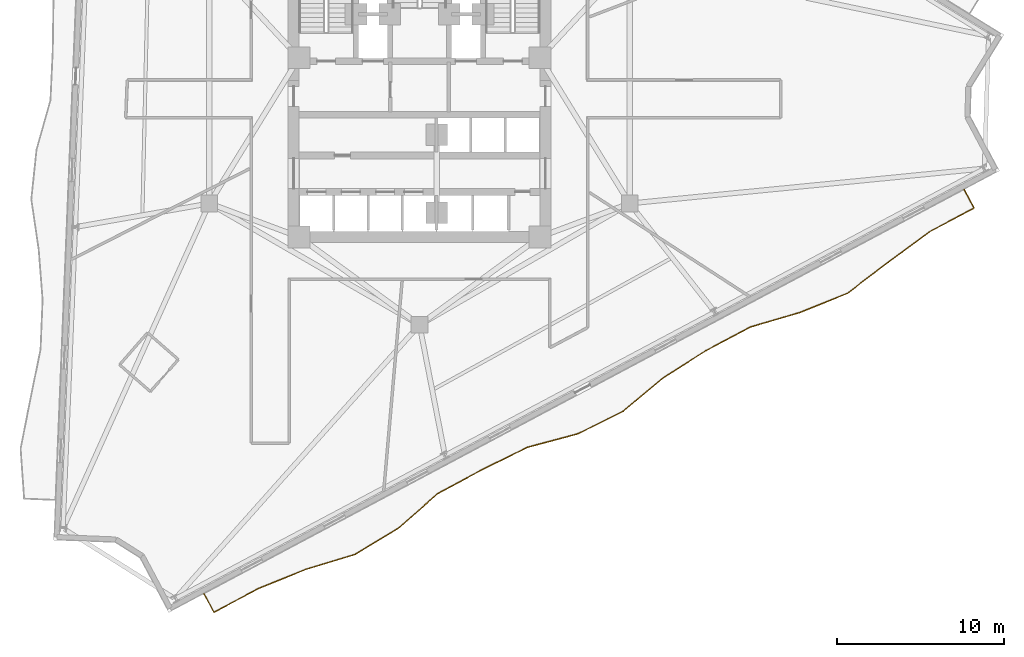
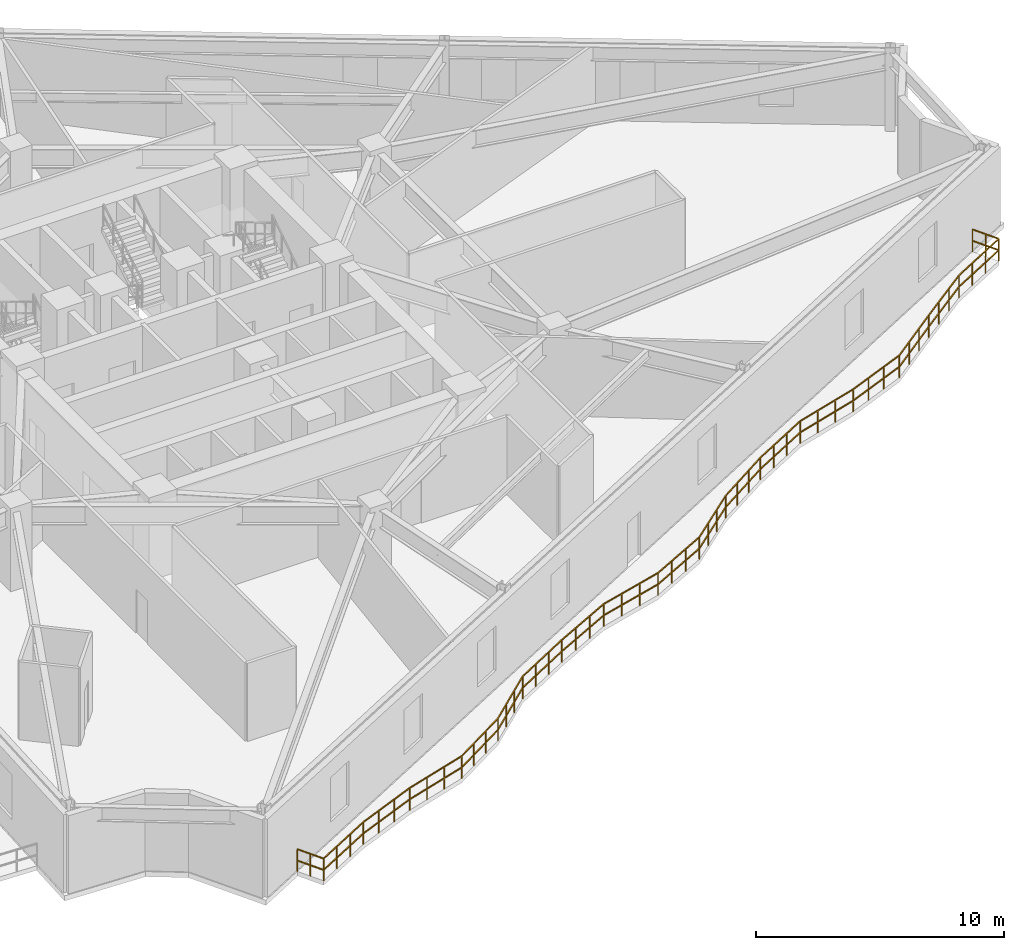
# One storey, part 9 of 12: 1 railing.
"""IFC4 building model written with IfcOpenShell, lengths in metres."""

import ifcopenshell
import ifcopenshell.guid

model = None  # the IFC model being written
_history = None  # IfcOwnerHistory: only IFC2X3 demands one
_inside = {}  # id of a spatial element -> (the spatial element, [elements in it])
_under = {}  # id of a project, library or spatial element -> (it, [spatial elements below it])
_declared = {}  # id of a project -> (the project, [libraries it declares])
_typed = {}  # id of a type object -> (the type object, [elements of that type])
_made_of = {}  # id of a material, layer set ... -> (it, [elements and type objects made of it])


def new_model(schema):
    """Start an empty IFC model of exactly this schema.

    Asked for "IFC4X3", IfcOpenShell would pick the latest addendum, in which some entities
    have other attributes; the version numbers below select the first issue.
    IFC2X3 requires an IfcOwnerHistory on every rooted entity: one is made here for all.
    """
    global model, _history
    if schema == "IFC4X3":
        model = ifcopenshell.file(schema_version=(4, 3, 0, 0))
    else:
        model = ifcopenshell.file(schema=schema)
    _inside.clear()
    _under.clear()
    _declared.clear()
    _typed.clear()
    _made_of.clear()
    _history = None
    if model.schema == "IFC2X3":
        org = make("IfcOrganization", Name="unknown")
        user = make(
            "IfcPersonAndOrganization",
            ThePerson=make("IfcPerson", FamilyName="unknown"),
            TheOrganization=org,
        )
        app = make(
            "IfcApplication",
            ApplicationDeveloper=org,
            Version="unknown",
            ApplicationFullName="unknown",
            ApplicationIdentifier="unknown",
        )
        _history = make(
            "IfcOwnerHistory",
            OwningUser=user,
            OwningApplication=app,
            ChangeAction="ADDED",
            CreationDate=0,
        )
    return model


def make(cls, **values):
    """One entity of the class cls with the attributes given. An attribute that is None is left unset."""
    return model.create_entity(
        cls, **{name: value for name, value in values.items() if value is not None}
    )


def rooted(cls, **values):
    """An entity with a GlobalId (a new one), such as an element, a storey or a relation."""
    return make(cls, GlobalId=ifcopenshell.guid.new(), OwnerHistory=_history, **values)


def si_unit(unit_type, name, prefix=None):
    """IfcSIUnit, for example si_unit("LENGTHUNIT", "METRE", prefix="MILLI")."""
    return make("IfcSIUnit", UnitType=unit_type, Prefix=prefix, Name=name)


def assignment(units):
    """IfcUnitAssignment: the units of a project."""
    return None if units is None else make("IfcUnitAssignment", Units=units)


def point(xyz):
    """IfcCartesianPoint."""
    return None if xyz is None else make("IfcCartesianPoint", Coordinates=xyz)


def direction(xyz):
    """IfcDirection."""
    return None if xyz is None else make("IfcDirection", DirectionRatios=xyz)


def frame(location, z_axis=None, x_axis=None):
    """IfcAxis2Placement3D, a coordinate frame: its origin and axes. An axis left out is left unset."""
    return make(
        "IfcAxis2Placement3D",
        Location=point(location),
        Axis=direction(z_axis),
        RefDirection=direction(x_axis),
    )


def frame_2d(location, x_axis=None):
    """IfcAxis2Placement2D, a coordinate frame in the plane: its origin and x axis."""
    return make(
        "IfcAxis2Placement2D", Location=point(location), RefDirection=direction(x_axis)
    )


def origin():
    """The frame at (0, 0, 0) with its axes left unset."""
    return frame((0.0, 0.0, 0.0))


def origin_2d():
    """The frame at (0, 0) in the plane with its x axis left unset."""
    return frame_2d((0.0, 0.0))


def place(relative_to, where):
    """IfcLocalPlacement: puts the frame where relative to a parent placement (None: the world)."""
    return make(
        "IfcLocalPlacement", PlacementRelTo=relative_to, RelativePlacement=where
    )


def context(
    kind, dimensions, precision=None, world=None, true_north=None, identifier=None
):
    """IfcGeometricRepresentationContext, for example the 3D "Model" context."""
    return make(
        "IfcGeometricRepresentationContext",
        ContextIdentifier=identifier,
        ContextType=kind,
        CoordinateSpaceDimension=dimensions,
        Precision=precision,
        WorldCoordinateSystem=world,
        TrueNorth=true_north,
    )


def subcontext(parent, identifier, kind, view, scale=None):
    """IfcGeometricRepresentationSubContext, for example "Body" below "Model"."""
    return make(
        "IfcGeometricRepresentationSubContext",
        ContextIdentifier=identifier,
        ContextType=kind,
        ParentContext=parent,
        TargetScale=scale,
        TargetView=view,
    )


def project(units=None, contexts=None):
    """IfcProject with its units and contexts."""
    return rooted(
        "IfcProject",
        Name="project",
        RepresentationContexts=contexts,
        UnitsInContext=assignment(units),
    )


def spatial(cls, under=None, at=None, **own):
    """A site, building, storey or space (cls), placed at a placement, below another one or the project."""
    s = rooted(cls, ObjectPlacement=at, **own)
    if under is not None:
        _under.setdefault(under.id(), (under, []))[1].append(s)
    return s


def profile(cls, at=None, kind="AREA", **sizes):
    """A parametric profile (cls). Its sizes go by their IFC names, for example OverallWidth=200.0."""
    return make(cls, ProfileType=kind, Position=at, **sizes)


def rectangle(**sizes):
    """IfcRectangleProfileDef."""
    return profile("IfcRectangleProfileDef", **sizes)


def extrude(swept, where, along, depth):
    """IfcExtrudedAreaSolid: the profile swept, set in the frame where, extruded along a direction by depth."""
    return make(
        "IfcExtrudedAreaSolid",
        SweptArea=swept,
        Position=where,
        ExtrudedDirection=direction(along),
        Depth=depth,
    )


def shape(context_of_items, identifier, shape_type, items):
    """IfcShapeRepresentation: the items that make up one representation, for example the "Body"."""
    return make(
        "IfcShapeRepresentation",
        ContextOfItems=context_of_items,
        RepresentationIdentifier=identifier,
        RepresentationType=shape_type,
        Items=items,
    )


def material(Name=None, Category=None):
    """IfcMaterial."""
    return make("IfcMaterial", Name=Name, Category=Category)


def made_of(thing, what):
    """Note that an element or type object is made of a material, layer set ...; save() writes the relation."""
    if what is not None:
        _made_of.setdefault(what.id(), (what, []))[1].append(thing)
    return thing


def type_object(cls, material=None, **own):
    """A type object (cls), such as IfcWallType, which elements share."""
    return made_of(rooted(cls, **own), material)


def element(
    cls,
    number,
    at=None,
    inside=None,
    cuts=None,
    type_object=None,
    material=None,
    context=None,
    identifier="Body",
    shape_type=None,
    held_by="IfcProductDefinitionShape",
    body=None,
    shapes=None,
    **own,
):
    """One element of the class cls, such as IfcWall. Its Tag is "e" and its number.

    at: its placement. inside: the storey or other place that contains it. cuts: it is an
    opening in that element (IfcRelVoidsElement). A single representation is given by context,
    identifier, shape_type and body (its items); several are given by shapes. held_by: the class
    of the entity that holds the representations. save() writes the other relations.
    """
    e = rooted(cls, Tag="e%d" % number, ObjectPlacement=at, **own)
    if body is not None:
        shapes = [shape(context, identifier, shape_type, body)]
    if shapes is not None:
        e.Representation = make(held_by, Representations=shapes)
    if inside is not None:
        _inside.setdefault(inside.id(), (inside, []))[1].append(e)
    if cuts is not None:
        rooted(
            "IfcRelVoidsElement", RelatingBuildingElement=cuts, RelatedOpeningElement=e
        )
    if type_object is not None:
        _typed.setdefault(type_object.id(), (type_object, []))[1].append(e)
    return made_of(e, material)


def aggregate(whole, parts):
    """IfcRelAggregates: a whole, such as a stair, and the parts it consists of."""
    return rooted("IfcRelAggregates", RelatingObject=whole, RelatedObjects=parts)


def save(model, path):
    """Write the relations noted so far, then the file.

    IfcRelAggregates (storeys below a building ...), IfcRelContainedInSpatialStructure (elements
    in a storey), IfcRelDefinesByType, IfcRelAssociatesMaterial and IfcRelDeclares: one each for
    every whole, place, type object, material and project.
    """
    for whole, parts in _under.values():
        aggregate(whole, parts)
    for where, things in _inside.values():
        rooted(
            "IfcRelContainedInSpatialStructure",
            RelatedElements=things,
            RelatingStructure=where,
        )
    for kind, things in _typed.values():
        rooted("IfcRelDefinesByType", RelatedObjects=things, RelatingType=kind)
    for what, things in _made_of.values():
        rooted("IfcRelAssociatesMaterial", RelatedObjects=things, RelatingMaterial=what)
    for by, libraries in _declared.values():
        rooted("IfcRelDeclares", RelatingContext=by, RelatedDefinitions=libraries)
    model.write(path)


model = new_model("IFC4")

# Units and contexts
model_context = context("Model", 3, precision=1e-05, world=origin(), true_north=direction((0.0, 1.0)))
body_context = subcontext(model_context, "Body", "Model", "MODEL_VIEW")
ifc_project = project(units=[si_unit("LENGTHUNIT", "METRE"), si_unit("AREAUNIT", "SQUARE_METRE"), si_unit("VOLUMEUNIT", "CUBIC_METRE"), si_unit("PLANEANGLEUNIT", "RADIAN"), si_unit("MASSUNIT", "GRAM", prefix="KILO")], contexts=[model_context])

# Site, building, storey
site_placement = place(None, origin())
site = spatial("IfcSite", under=ifc_project, at=site_placement, CompositionType="ELEMENT")
building_placement = place(site_placement, origin())
building = spatial("IfcBuilding", under=site, at=building_placement, Name="Apsidion Concourse Tower", CompositionType="ELEMENT")
storey_placement = place(building_placement, frame((0.0, 0.0, 181.89990234375)))
storey = spatial("IfcBuildingStorey", under=building, at=storey_placement, Name="L42", CompositionType="ELEMENT", Elevation=181.89990234375)

# Railing
ifc_material = material(Name="Brushed stainless steel 316", Category="steel")
railing_type = type_object("IfcRailingType", Name="RL-BAL-1120", PredefinedType="BALUSTRADE", material=ifc_material)
railing_placement = place(storey_placement, frame((32.549560546875, -6.426025390625, 0.0)))
element("IfcRailing", 1, at=railing_placement, inside=storey, type_object=railing_type, Name="L42 Face 2 Rippling Balcony Balustrade", PredefinedType="BALUSTRADE", context=body_context, shape_type="SweptSolid", body=[
    extrude(rectangle(XDim=0.048095703125, YDim=0.048095703125, at=origin_2d()), frame((0.0, 0.0, 1.09619140625), z_axis=(0.469493130662, -0.882936124678, 0.0), x_axis=(0.882936124678, 0.469493130662, 0.0)), (0.0, 0.0, 1.0), 1.25),
    extrude(rectangle(XDim=0.048095703125, YDim=0.048095703125, at=origin_2d()), frame((0.0, 0.0, 0.5361328125), z_axis=(0.469493130662, -0.882936124678, 0.0), x_axis=(0.882936124678, 0.469493130662, 0.0)), (0.0, 0.0, 1.0), 1.25),
    extrude(rectangle(XDim=0.048095703125, YDim=0.048095703125, at=origin_2d()), frame((0.5869140625, -1.103759765625, 1.09619140625), z_axis=(-0.882966309785, -0.469436359675, 0.0), x_axis=(0.469436359675, -0.882966309785, 0.0)), (0.0, 0.0, 1.0), 3.0263671875),
    extrude(rectangle(XDim=0.048095703125, YDim=0.048095703125, at=origin_2d()), frame((0.5869140625, -1.103759765625, 0.5361328125), z_axis=(-0.882966309785, -0.469436359675, 0.0), x_axis=(0.469436359675, -0.882966309785, 0.0)), (0.0, 0.0, 1.0), 3.0263671875),
    extrude(rectangle(XDim=0.048095703125, YDim=0.048095703125, at=origin_2d()), frame((-2.085205078125, -2.5244140625, 1.09619140625), z_axis=(-0.803623619355, -0.595137865049, 0.0), x_axis=(0.595137865049, -0.803623619355, 0.0)), (0.0, 0.0, 1.0), 3.059814453125),
    extrude(rectangle(XDim=0.048095703125, YDim=0.048095703125, at=origin_2d()), frame((-2.085205078125, -2.5244140625, 0.5361328125), z_axis=(-0.803623619355, -0.595137865049, 0.0), x_axis=(0.595137865049, -0.803623619355, 0.0)), (0.0, 0.0, 1.0), 3.059814453125),
    extrude(rectangle(XDim=0.048095703125, YDim=0.048095703125, at=origin_2d()), frame((-4.544189453125, -4.345458984375, 1.09619140625), z_axis=(-0.796594736405, -0.604513710292, 0.0), x_axis=(0.604513710292, -0.796594736405, 0.0)), (0.0, 0.0, 1.0), 3.065673828125),
    extrude(rectangle(XDim=0.048095703125, YDim=0.048095703125, at=origin_2d()), frame((-4.544189453125, -4.345458984375, 0.5361328125), z_axis=(-0.796594736405, -0.604513710292, 0.0), x_axis=(0.604513710292, -0.796594736405, 0.0)), (0.0, 0.0, 1.0), 3.065673828125),
    extrude(rectangle(XDim=0.048095703125, YDim=0.048095703125, at=origin_2d()), frame((-6.986328125, -6.19873046875, 1.09619140625), z_axis=(-0.927008592603, -0.375040090178, 0.0), x_axis=(0.375040090178, -0.927008592603, 0.0)), (0.0, 0.0, 1.0), 3.042724609375),
    extrude(rectangle(XDim=0.048095703125, YDim=0.048095703125, at=origin_2d()), frame((-6.986328125, -6.19873046875, 0.5361328125), z_axis=(-0.927008592603, -0.375040090178, 0.0), x_axis=(0.375040090178, -0.927008592603, 0.0)), (0.0, 0.0, 1.0), 3.042724609375),
    extrude(rectangle(XDim=0.048095703125, YDim=0.048095703125, at=origin_2d()), frame((-9.806884765625, -7.33984375, 1.09619140625), z_axis=(-0.959797123917, -0.280694639993, 0.0), x_axis=(0.280694639993, -0.959797123917, 0.0)), (0.0, 0.0, 1.0), 3.09033203125),
    extrude(rectangle(XDim=0.048095703125, YDim=0.048095703125, at=origin_2d()), frame((-9.806884765625, -7.33984375, 0.5361328125), z_axis=(-0.959797123917, -0.280694639993, 0.0), x_axis=(0.280694639993, -0.959797123917, 0.0)), (0.0, 0.0, 1.0), 3.09033203125),
    extrude(rectangle(XDim=0.048095703125, YDim=0.048095703125, at=origin_2d()), frame((-12.77294921875, -8.207275390625, 1.09619140625), z_axis=(-0.882932870124, -0.469499251176, 0.0), x_axis=(0.469499251176, -0.882932870124, 0.0)), (0.0, 0.0, 1.0), 3.0263671875),
    extrude(rectangle(XDim=0.048095703125, YDim=0.048095703125, at=origin_2d()), frame((-12.77294921875, -8.207275390625, 0.5361328125), z_axis=(-0.882932870124, -0.469499251176, 0.0), x_axis=(0.469499251176, -0.882932870124, 0.0)), (0.0, 0.0, 1.0), 3.0263671875),
    extrude(rectangle(XDim=0.048095703125, YDim=0.048095703125, at=origin_2d()), frame((-15.445068359375, -9.628173828125, 1.09619140625), z_axis=(-0.844253832274, -0.535943529386, 0.0), x_axis=(0.535943529386, -0.844253832274, 0.0)), (0.0, 0.0, 1.0), 3.03515625),
    extrude(rectangle(XDim=0.048095703125, YDim=0.048095703125, at=origin_2d()), frame((-15.445068359375, -9.628173828125, 0.5361328125), z_axis=(-0.844253832274, -0.535943529386, 0.0), x_axis=(0.535943529386, -0.844253832274, 0.0)), (0.0, 0.0, 1.0), 3.03515625),
    extrude(rectangle(XDim=0.048095703125, YDim=0.048095703125, at=origin_2d()), frame((-18.007568359375, -11.2548828125, 1.09619140625), z_axis=(-0.766341943415, -0.642432895922, 0.0), x_axis=(0.642432895922, -0.766341943415, 0.0)), (0.0, 0.0, 1.0), 3.093505859375),
    extrude(rectangle(XDim=0.048095703125, YDim=0.048095703125, at=origin_2d()), frame((-18.007568359375, -11.2548828125, 0.5361328125), z_axis=(-0.766341943415, -0.642432895922, 0.0), x_axis=(0.642432895922, -0.766341943415, 0.0)), (0.0, 0.0, 1.0), 3.093505859375),
    extrude(rectangle(XDim=0.048095703125, YDim=0.048095703125, at=origin_2d()), frame((-20.378173828125, -13.2421875, 1.09619140625), z_axis=(-0.894958839017, -0.446148715638, 0.0), x_axis=(0.446148715638, -0.894958839017, 0.0)), (0.0, 0.0, 1.0), 3.027099609375),
    extrude(rectangle(XDim=0.048095703125, YDim=0.048095703125, at=origin_2d()), frame((-20.378173828125, -13.2421875, 0.5361328125), z_axis=(-0.894958839017, -0.446148715638, 0.0), x_axis=(0.446148715638, -0.894958839017, 0.0)), (0.0, 0.0, 1.0), 3.027099609375),
    extrude(rectangle(XDim=0.048095703125, YDim=0.048095703125, at=origin_2d()), frame((-23.08740234375, -14.5927734375, 1.09619140625), z_axis=(-0.966095217533, -0.258186038854, 0.0), x_axis=(0.258186038854, -0.966095217533, 0.0)), (0.0, 0.0, 1.0), 3.106201171875),
    extrude(rectangle(XDim=0.048095703125, YDim=0.048095703125, at=origin_2d()), frame((-23.08740234375, -14.5927734375, 0.5361328125), z_axis=(-0.966095217533, -0.258186038854, 0.0), x_axis=(0.258186038854, -0.966095217533, 0.0)), (0.0, 0.0, 1.0), 3.106201171875),
    extrude(rectangle(XDim=0.048095703125, YDim=0.048095703125, at=origin_2d()), frame((-26.08837890625, -15.394775390625, 1.09619140625), z_axis=(-0.897231624214, -0.441560202588, 0.0), x_axis=(0.441560202588, -0.897231624214, 0.0)), (0.0, 0.0, 1.0), 3.027587890625),
    extrude(rectangle(XDim=0.048095703125, YDim=0.048095703125, at=origin_2d()), frame((-26.08837890625, -15.394775390625, 0.5361328125), z_axis=(-0.897231624214, -0.441560202588, 0.0), x_axis=(0.441560202588, -0.897231624214, 0.0)), (0.0, 0.0, 1.0), 3.027587890625),
    extrude(rectangle(XDim=0.048095703125, YDim=0.048095703125, at=origin_2d()), frame((-28.804931640625, -16.731689453125, 1.09619140625), z_axis=(-0.879708337822, -0.475513659494, 0.0), x_axis=(0.475513659494, -0.879708337822, 0.0)), (0.0, 0.0, 1.0), 3.026123046875),
    extrude(rectangle(XDim=0.048095703125, YDim=0.048095703125, at=origin_2d()), frame((-28.804931640625, -16.731689453125, 0.5361328125), z_axis=(-0.879708337822, -0.475513659494, 0.0), x_axis=(0.475513659494, -0.879708337822, 0.0)), (0.0, 0.0, 1.0), 3.026123046875),
    extrude(rectangle(XDim=0.048095703125, YDim=0.048095703125, at=origin_2d()), frame((-31.467041015625, -18.170654296875, 1.09619140625), z_axis=(-0.750389581163, -0.660995821834, 0.0), x_axis=(0.660995821834, -0.750389581163, 0.0)), (0.0, 0.0, 1.0), 3.110595703125),
    extrude(rectangle(XDim=0.048095703125, YDim=0.048095703125, at=origin_2d()), frame((-31.467041015625, -18.170654296875, 0.5361328125), z_axis=(-0.750389581163, -0.660995821834, 0.0), x_axis=(0.660995821834, -0.750389581163, 0.0)), (0.0, 0.0, 1.0), 3.110595703125),
    extrude(rectangle(XDim=0.048095703125, YDim=0.048095703125, at=origin_2d()), frame((-33.80126953125, -20.226806640625, 1.09619140625), z_axis=(-0.855646536627, -0.517560628679, 0.0), x_axis=(0.517560628679, -0.855646536627, 0.0)), (0.0, 0.0, 1.0), 3.03076171875),
    extrude(rectangle(XDim=0.048095703125, YDim=0.048095703125, at=origin_2d()), frame((-33.80126953125, -20.226806640625, 0.5361328125), z_axis=(-0.855646536627, -0.517560628679, 0.0), x_axis=(0.517560628679, -0.855646536627, 0.0)), (0.0, 0.0, 1.0), 3.03076171875),
    extrude(rectangle(XDim=0.048095703125, YDim=0.048095703125, at=origin_2d()), frame((-36.39453125, -21.79541015625, 1.09619140625), z_axis=(-0.95689314899, -0.290440185609, 0.0), x_axis=(0.290440185609, -0.95689314899, 0.0)), (0.0, 0.0, 1.0), 3.084228515625),
    extrude(rectangle(XDim=0.048095703125, YDim=0.048095703125, at=origin_2d()), frame((-36.39453125, -21.79541015625, 0.5361328125), z_axis=(-0.95689314899, -0.290440185609, 0.0), x_axis=(0.290440185609, -0.95689314899, 0.0)), (0.0, 0.0, 1.0), 3.084228515625),
    extrude(rectangle(XDim=0.048095703125, YDim=0.048095703125, at=origin_2d()), frame((-39.345703125, -22.691162109375, 1.09619140625), z_axis=(-0.926605549429, -0.376034779997, 0.0), x_axis=(0.376034779997, -0.926605549429, 0.0)), (0.0, 0.0, 1.0), 3.04248046875),
    extrude(rectangle(XDim=0.048095703125, YDim=0.048095703125, at=origin_2d()), frame((-39.345703125, -22.691162109375, 0.5361328125), z_axis=(-0.926605549429, -0.376034779997, 0.0), x_axis=(0.376034779997, -0.926605549429, 0.0)), (0.0, 0.0, 1.0), 3.04248046875),
    extrude(rectangle(XDim=0.048095703125, YDim=0.048095703125, at=origin_2d()), frame((-42.164794921875, -23.835205078125, 1.09619140625), z_axis=(-0.88294852993, -0.469469800408, 0.0), x_axis=(0.469469800408, -0.88294852993, 0.0)), (0.0, 0.0, 1.0), 3.026123046875),
    extrude(rectangle(XDim=0.048095703125, YDim=0.048095703125, at=origin_2d()), frame((-42.164794921875, -23.835205078125, 0.5361328125), z_axis=(-0.88294852993, -0.469469800408, 0.0), x_axis=(0.469469800408, -0.88294852993, 0.0)), (0.0, 0.0, 1.0), 3.026123046875),
    extrude(rectangle(XDim=0.048095703125, YDim=0.048095703125, at=origin_2d()), frame((-44.836669921875, -25.255859375, 1.09619140625), z_axis=(-0.469574099445, 0.882893065513, 0.0), x_axis=(-0.882893065513, -0.469574099445, 0.0)), (0.0, 0.0, 1.0), 1.25),
    extrude(rectangle(XDim=0.048095703125, YDim=0.048095703125, at=origin_2d()), frame((-44.836669921875, -25.255859375, 0.5361328125), z_axis=(-0.469574099445, 0.882893065513, 0.0), x_axis=(-0.882893065513, -0.469574099445, 0.0)), (0.0, 0.0, 1.0), 1.25),
    extrude(rectangle(XDim=0.0419921875, YDim=0.0419921875, at=origin_2d()), origin(), (0.0, 0.0, 1.0), 1.072021484375),
    extrude(rectangle(XDim=0.0419921875, YDim=0.0419921875, at=origin_2d()), frame((0.29345703125, -0.5517578125, 0.0)), (0.0, 0.0, 1.0), 1.072021484375),
    extrude(rectangle(XDim=0.0419921875, YDim=0.0419921875, at=origin_2d()), frame((0.5869140625, -1.103759765625, 0.0)), (0.0, 0.0, 1.0), 1.072021484375),
    extrude(rectangle(XDim=0.0419921875, YDim=0.0419921875, at=origin_2d()), frame((-0.3037109375, -1.577392578125, 0.0)), (0.0, 0.0, 1.0), 1.072021484375),
    extrude(rectangle(XDim=0.0419921875, YDim=0.0419921875, at=origin_2d()), frame((-1.194580078125, -2.05078125, 0.0)), (0.0, 0.0, 1.0), 1.072021484375),
    extrude(rectangle(XDim=0.0419921875, YDim=0.0419921875, at=origin_2d()), frame((-2.085205078125, -2.5244140625, 0.0)), (0.0, 0.0, 1.0), 1.072021484375),
    extrude(rectangle(XDim=0.0419921875, YDim=0.0419921875, at=origin_2d()), frame((-2.90478515625, -3.13134765625, 0.0)), (0.0, 0.0, 1.0), 1.072021484375),
    extrude(rectangle(XDim=0.0419921875, YDim=0.0419921875, at=origin_2d()), frame((-3.724609375, -3.738525390625, 0.0)), (0.0, 0.0, 1.0), 1.072021484375),
    extrude(rectangle(XDim=0.0419921875, YDim=0.0419921875, at=origin_2d()), frame((-4.544189453125, -4.345458984375, 0.0)), (0.0, 0.0, 1.0), 1.072021484375),
    extrude(rectangle(XDim=0.0419921875, YDim=0.0419921875, at=origin_2d()), frame((-5.358154296875, -4.963134765625, 0.0)), (0.0, 0.0, 1.0), 1.072021484375),
    extrude(rectangle(XDim=0.0419921875, YDim=0.0419921875, at=origin_2d()), frame((-6.17236328125, -5.5810546875, 0.0)), (0.0, 0.0, 1.0), 1.072021484375),
    extrude(rectangle(XDim=0.0419921875, YDim=0.0419921875, at=origin_2d()), frame((-6.986328125, -6.19873046875, 0.0)), (0.0, 0.0, 1.0), 1.072021484375),
    extrude(rectangle(XDim=0.0419921875, YDim=0.0419921875, at=origin_2d()), frame((-7.926513671875, -6.5791015625, 0.0)), (0.0, 0.0, 1.0), 1.072021484375),
    extrude(rectangle(XDim=0.0419921875, YDim=0.0419921875, at=origin_2d()), frame((-8.86669921875, -6.95947265625, 0.0)), (0.0, 0.0, 1.0), 1.072021484375),
    extrude(rectangle(XDim=0.0419921875, YDim=0.0419921875, at=origin_2d()), frame((-9.806884765625, -7.33984375, 0.0)), (0.0, 0.0, 1.0), 1.072021484375),
    extrude(rectangle(XDim=0.0419921875, YDim=0.0419921875, at=origin_2d()), frame((-10.795654296875, -7.62890625, 0.0)), (0.0, 0.0, 1.0), 1.072021484375),
    extrude(rectangle(XDim=0.0419921875, YDim=0.0419921875, at=origin_2d()), frame((-11.7841796875, -7.918212890625, 0.0)), (0.0, 0.0, 1.0), 1.072021484375),
    extrude(rectangle(XDim=0.0419921875, YDim=0.0419921875, at=origin_2d()), frame((-12.77294921875, -8.207275390625, 0.0)), (0.0, 0.0, 1.0), 1.072021484375),
    extrude(rectangle(XDim=0.0419921875, YDim=0.0419921875, at=origin_2d()), frame((-13.66357421875, -8.680908203125, 0.0)), (0.0, 0.0, 1.0), 1.072021484375),
    extrude(rectangle(XDim=0.0419921875, YDim=0.0419921875, at=origin_2d()), frame((-14.554443359375, -9.154541015625, 0.0)), (0.0, 0.0, 1.0), 1.072021484375),
    extrude(rectangle(XDim=0.0419921875, YDim=0.0419921875, at=origin_2d()), frame((-15.445068359375, -9.628173828125, 0.0)), (0.0, 0.0, 1.0), 1.072021484375),
    extrude(rectangle(XDim=0.0419921875, YDim=0.0419921875, at=origin_2d()), frame((-16.29931640625, -10.17041015625, 0.0)), (0.0, 0.0, 1.0), 1.072021484375),
    extrude(rectangle(XDim=0.0419921875, YDim=0.0419921875, at=origin_2d()), frame((-17.1533203125, -10.712646484375, 0.0)), (0.0, 0.0, 1.0), 1.072021484375),
    extrude(rectangle(XDim=0.0419921875, YDim=0.0419921875, at=origin_2d()), frame((-18.007568359375, -11.2548828125, 0.0)), (0.0, 0.0, 1.0), 1.072021484375),
    extrude(rectangle(XDim=0.0419921875, YDim=0.0419921875, at=origin_2d()), frame((-18.7978515625, -11.917236328125, 0.0)), (0.0, 0.0, 1.0), 1.072021484375),
    extrude(rectangle(XDim=0.0419921875, YDim=0.0419921875, at=origin_2d()), frame((-19.587890625, -12.579833984375, 0.0)), (0.0, 0.0, 1.0), 1.072021484375),
    extrude(rectangle(XDim=0.0419921875, YDim=0.0419921875, at=origin_2d()), frame((-20.378173828125, -13.2421875, 0.0)), (0.0, 0.0, 1.0), 1.072021484375),
    extrude(rectangle(XDim=0.0419921875, YDim=0.0419921875, at=origin_2d()), frame((-21.28125, -13.6923828125, 0.0)), (0.0, 0.0, 1.0), 1.072021484375),
    extrude(rectangle(XDim=0.0419921875, YDim=0.0419921875, at=origin_2d()), frame((-22.184326171875, -14.142578125, 0.0)), (0.0, 0.0, 1.0), 1.072021484375),
    extrude(rectangle(XDim=0.0419921875, YDim=0.0419921875, at=origin_2d()), frame((-23.08740234375, -14.5927734375, 0.0)), (0.0, 0.0, 1.0), 1.072021484375),
    extrude(rectangle(XDim=0.0419921875, YDim=0.0419921875, at=origin_2d()), frame((-24.087646484375, -14.860107421875, 0.0)), (0.0, 0.0, 1.0), 1.072021484375),
    extrude(rectangle(XDim=0.0419921875, YDim=0.0419921875, at=origin_2d()), frame((-25.088134765625, -15.12744140625, 0.0)), (0.0, 0.0, 1.0), 1.072021484375),
    extrude(rectangle(XDim=0.0419921875, YDim=0.0419921875, at=origin_2d()), frame((-26.08837890625, -15.394775390625, 0.0)), (0.0, 0.0, 1.0), 1.072021484375),
    extrude(rectangle(XDim=0.0419921875, YDim=0.0419921875, at=origin_2d()), frame((-26.993896484375, -15.84033203125, 0.0)), (0.0, 0.0, 1.0), 1.072021484375),
    extrude(rectangle(XDim=0.0419921875, YDim=0.0419921875, at=origin_2d()), frame((-27.8994140625, -16.2861328125, 0.0)), (0.0, 0.0, 1.0), 1.072021484375),
    extrude(rectangle(XDim=0.0419921875, YDim=0.0419921875, at=origin_2d()), frame((-28.804931640625, -16.731689453125, 0.0)), (0.0, 0.0, 1.0), 1.072021484375),
    extrude(rectangle(XDim=0.0419921875, YDim=0.0419921875, at=origin_2d()), frame((-29.6923828125, -17.21142578125, 0.0)), (0.0, 0.0, 1.0), 1.072021484375),
    extrude(rectangle(XDim=0.0419921875, YDim=0.0419921875, at=origin_2d()), frame((-30.57958984375, -17.69091796875, 0.0)), (0.0, 0.0, 1.0), 1.072021484375),
    extrude(rectangle(XDim=0.0419921875, YDim=0.0419921875, at=origin_2d()), frame((-31.467041015625, -18.170654296875, 0.0)), (0.0, 0.0, 1.0), 1.072021484375),
    extrude(rectangle(XDim=0.0419921875, YDim=0.0419921875, at=origin_2d()), frame((-32.2451171875, -18.85595703125, 0.0)), (0.0, 0.0, 1.0), 1.072021484375),
    extrude(rectangle(XDim=0.0419921875, YDim=0.0419921875, at=origin_2d()), frame((-33.023193359375, -19.54150390625, 0.0)), (0.0, 0.0, 1.0), 1.072021484375),
    extrude(rectangle(XDim=0.0419921875, YDim=0.0419921875, at=origin_2d()), frame((-33.80126953125, -20.226806640625, 0.0)), (0.0, 0.0, 1.0), 1.072021484375),
    extrude(rectangle(XDim=0.0419921875, YDim=0.0419921875, at=origin_2d()), frame((-34.665771484375, -20.749755859375, 0.0)), (0.0, 0.0, 1.0), 1.072021484375),
    extrude(rectangle(XDim=0.0419921875, YDim=0.0419921875, at=origin_2d()), frame((-35.530029296875, -21.2724609375, 0.0)), (0.0, 0.0, 1.0), 1.072021484375),
    extrude(rectangle(XDim=0.0419921875, YDim=0.0419921875, at=origin_2d()), frame((-36.39453125, -21.79541015625, 0.0)), (0.0, 0.0, 1.0), 1.072021484375),
    extrude(rectangle(XDim=0.0419921875, YDim=0.0419921875, at=origin_2d()), frame((-37.378173828125, -22.093994140625, 0.0)), (0.0, 0.0, 1.0), 1.072021484375),
    extrude(rectangle(XDim=0.0419921875, YDim=0.0419921875, at=origin_2d()), frame((-38.362060546875, -22.392578125, 0.0)), (0.0, 0.0, 1.0), 1.072021484375),
    extrude(rectangle(XDim=0.0419921875, YDim=0.0419921875, at=origin_2d()), frame((-39.345703125, -22.691162109375, 0.0)), (0.0, 0.0, 1.0), 1.072021484375),
    extrude(rectangle(XDim=0.0419921875, YDim=0.0419921875, at=origin_2d()), frame((-40.285400390625, -23.072509765625, 0.0)), (0.0, 0.0, 1.0), 1.072021484375),
    extrude(rectangle(XDim=0.0419921875, YDim=0.0419921875, at=origin_2d()), frame((-41.22509765625, -23.453857421875, 0.0)), (0.0, 0.0, 1.0), 1.072021484375),
    extrude(rectangle(XDim=0.0419921875, YDim=0.0419921875, at=origin_2d()), frame((-42.164794921875, -23.835205078125, 0.0)), (0.0, 0.0, 1.0), 1.072021484375),
    extrude(rectangle(XDim=0.0419921875, YDim=0.0419921875, at=origin_2d()), frame((-43.055419921875, -24.308837890625, 0.0)), (0.0, 0.0, 1.0), 1.072021484375),
    extrude(rectangle(XDim=0.0419921875, YDim=0.0419921875, at=origin_2d()), frame((-43.946044921875, -24.7822265625, 0.0)), (0.0, 0.0, 1.0), 1.072021484375),
    extrude(rectangle(XDim=0.0419921875, YDim=0.0419921875, at=origin_2d()), frame((-44.836669921875, -25.255859375, 0.0)), (0.0, 0.0, 1.0), 1.072021484375),
    extrude(rectangle(XDim=0.0419921875, YDim=0.0419921875, at=origin_2d()), frame((-45.130126953125, -24.7041015625, 0.0)), (0.0, 0.0, 1.0), 1.072021484375),
    extrude(rectangle(XDim=0.0419921875, YDim=0.0419921875, at=origin_2d()), frame((-45.423583984375, -24.15234375, 0.0)), (0.0, 0.0, 1.0), 1.072021484375),
])

save(model, "model.ifc")
